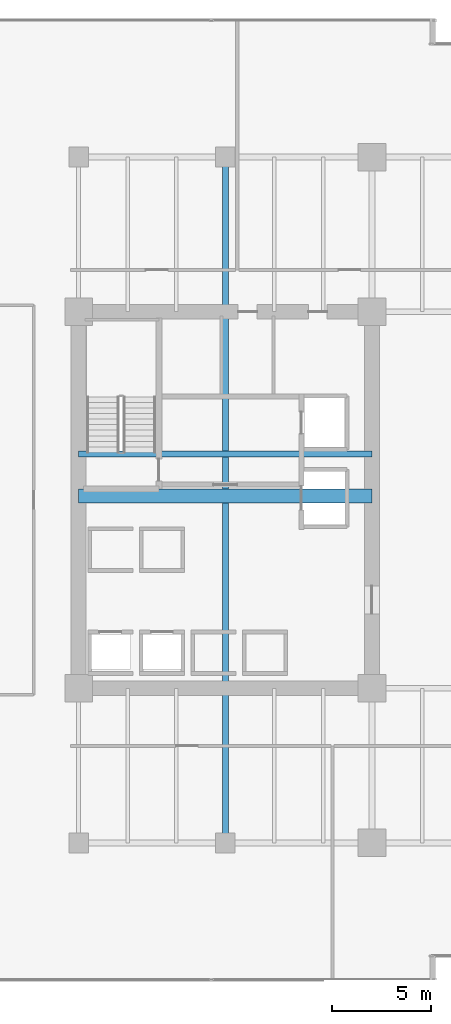
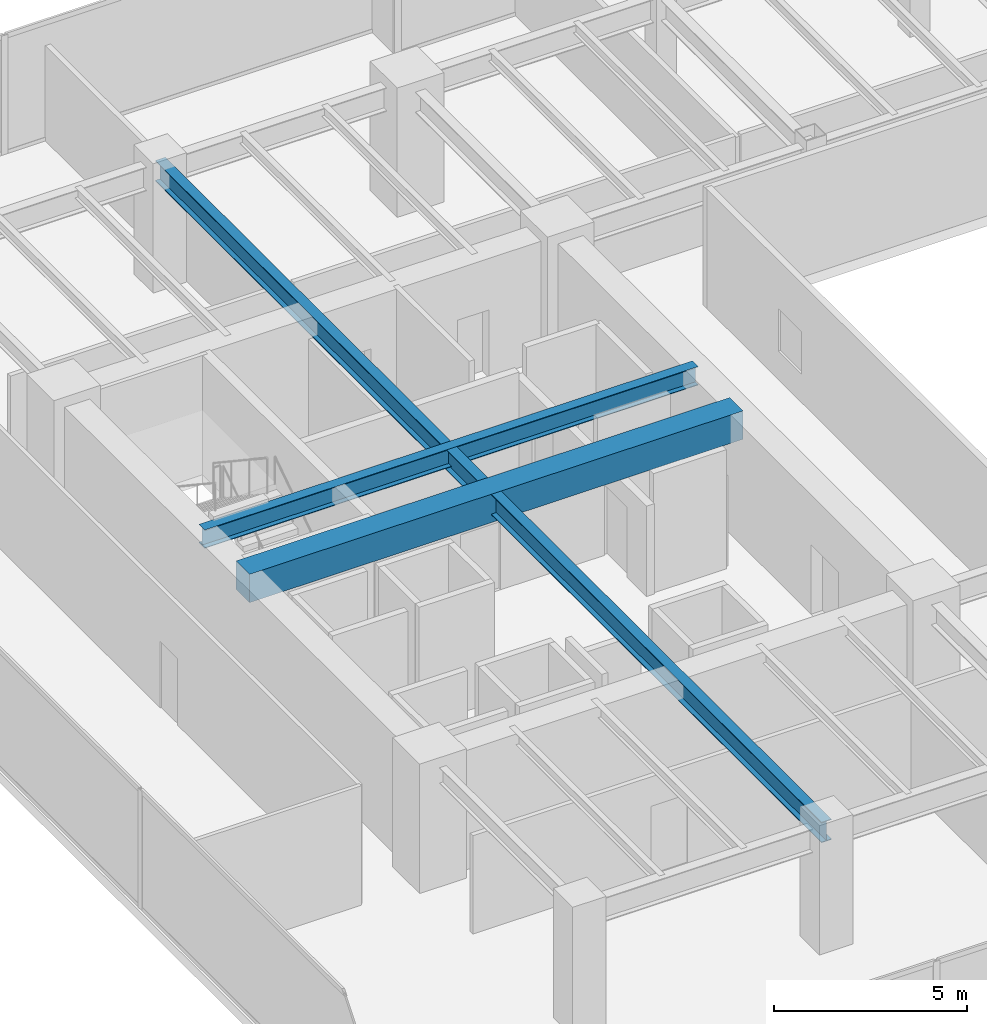
# One storey, part 7 of 35: 3 beams.
"""IFC4 building model written with IfcOpenShell, lengths in metres."""

from ifc_helpers import new_model, si_unit, direction, frame, origin, origin_2d, place, context, subcontext, project, spatial, rectangle, i_section, extrude, source, transform, mapped, material, material_profile, profile_set, type_object, type_shapes, element, save


model = new_model("IFC4")

# Units and contexts
model_context = context("Model", 3, precision=1e-05, world=origin(), true_north=direction((0.0, 1.0)))
body_context = subcontext(model_context, "Body", "Model", "MODEL_VIEW")
ifc_project = project(units=[si_unit("LENGTHUNIT", "METRE"), si_unit("AREAUNIT", "SQUARE_METRE"), si_unit("VOLUMEUNIT", "CUBIC_METRE"), si_unit("PLANEANGLEUNIT", "RADIAN"), si_unit("MASSUNIT", "GRAM", prefix="KILO")], contexts=[model_context])

# Site, building, storey
site_placement = place(None, origin())
site = spatial("IfcSite", under=ifc_project, at=site_placement, CompositionType="ELEMENT")
building_placement = place(site_placement, origin())
building = spatial("IfcBuilding", under=site, at=building_placement, Name="Haelvirn Gate Laboratories", CompositionType="ELEMENT")
storey_placement = place(building_placement, frame((0.0, 0.0, 70.300048828125)))
storey = spatial("IfcBuildingStorey", under=building, at=storey_placement, Name="L17", CompositionType="ELEMENT", Elevation=70.300048828125)

# Beams
ifc_material_1 = material(Name="Concrete C60/75", Category="concrete")
ifc_material_profile_1 = material_profile(ifc_material_1, rectangle(XDim=0.699951171875, YDim=0.89990234375, at=origin_2d()), Name="RCB-700x900")
ifc_profile_set_1 = profile_set([ifc_material_profile_1], Name="Concrete C60/75")
beam_type_1 = type_object("IfcBeamType", Name="BM-RCB-900", PredefinedType="LINTEL", material=ifc_profile_set_1)
shared_shape_1 = source(origin(), body_context, "Body", "SweptSolid", [
    extrude(rectangle(XDim=0.699951171875, YDim=0.89990234375, at=origin_2d()), origin(), (0.0, 0.0, 1.0), 14.800048828125),
])
type_shapes(beam_type_1, [shared_shape_1])
beam_1_placement = place(storey_placement, frame((7.39990234375, 24.5, 3.329833984375), z_axis=(1.0, 0.0, 0.0), x_axis=(0.0, 1.0, 0.0)))
element("IfcBeam", 1, at=beam_1_placement, inside=storey, type_object=beam_type_1, Name="L17 West Core Coupling Beam", PredefinedType="LINTEL", context=body_context, shape_type="MappedRepresentation", body=[
    mapped(shared_shape_1, transform((0.0, 0.0, 0.0), scale=1.0)),
])
ifc_material_2 = material(Name="Steel SM355", Category="steel")
ifc_material_profile_2 = material_profile(ifc_material_2, i_section(OverallWidth=0.300048828125, OverallDepth=0.587890625, WebThickness=0.011962890625, FlangeThickness=0.02001953125, at=origin_2d()), Name="H-588x300x12x20")
ifc_profile_set_2 = profile_set([ifc_material_profile_2], Name="Steel SM355")
beam_type_2 = type_object("IfcBeamType", Name="BM-G-588", PredefinedType="BEAM", material=ifc_profile_set_2)
shared_shape_2 = source(origin(), body_context, "Body", "SweptSolid", [
    extrude(i_section(OverallWidth=0.300048828125, OverallDepth=0.587890625, WebThickness=0.011962890625, FlangeThickness=0.02001953125, at=origin_2d()), origin(), (0.0, 0.0, 1.0), 14.800048828125),
])
type_shapes(beam_type_2, [shared_shape_2])
beam_2_placement = place(storey_placement, frame((7.39990234375, 26.6201171875, 3.48583984375), z_axis=(1.0, 0.0, 0.0), x_axis=(0.0, 1.0, 0.0)))
element("IfcBeam", 2, at=beam_2_placement, inside=storey, type_object=beam_type_2, Name="L17 Stair ST1 Landing Header", PredefinedType="BEAM", context=body_context, shape_type="MappedRepresentation", body=[
    mapped(shared_shape_2, transform((0.0, 0.0, 0.0), scale=1.0)),
])
ifc_material_profile_3 = material_profile(ifc_material_2, i_section(OverallWidth=0.300048828125, OverallDepth=0.64990234375, WebThickness=0.012939453125, FlangeThickness=0.02197265625, at=origin_2d()), Name="H-650x300x13x22")
ifc_profile_set_3 = profile_set([ifc_material_profile_3], Name="Steel SM355")
beam_type_3 = type_object("IfcBeamType", Name="BM-G-650", PredefinedType="BEAM", material=ifc_profile_set_3)
shared_shape_3 = source(origin(), body_context, "Body", "SweptSolid", [
    extrude(i_section(OverallWidth=0.300048828125, OverallDepth=0.64990234375, WebThickness=0.012939453125, FlangeThickness=0.02197265625, at=origin_2d()), origin(), (0.0, 0.0, 1.0), 34.60009765625),
])
type_shapes(beam_type_3, [shared_shape_3])
beam_3_placement = place(storey_placement, frame((14.800048828125, 7.0, 3.454833984375), z_axis=(0.0, 1.0, 0.0), x_axis=(-1.0, 0.0, 0.0)))
element("IfcBeam", 3, at=beam_3_placement, inside=storey, type_object=beam_type_3, Name="L17 Frame Girder X14.8 (7.0-41.6)", PredefinedType="BEAM", context=body_context, shape_type="MappedRepresentation", body=[
    mapped(shared_shape_3, transform((0.0, 0.0, 0.0), scale=1.0)),
])

save(model, "model.ifc")
